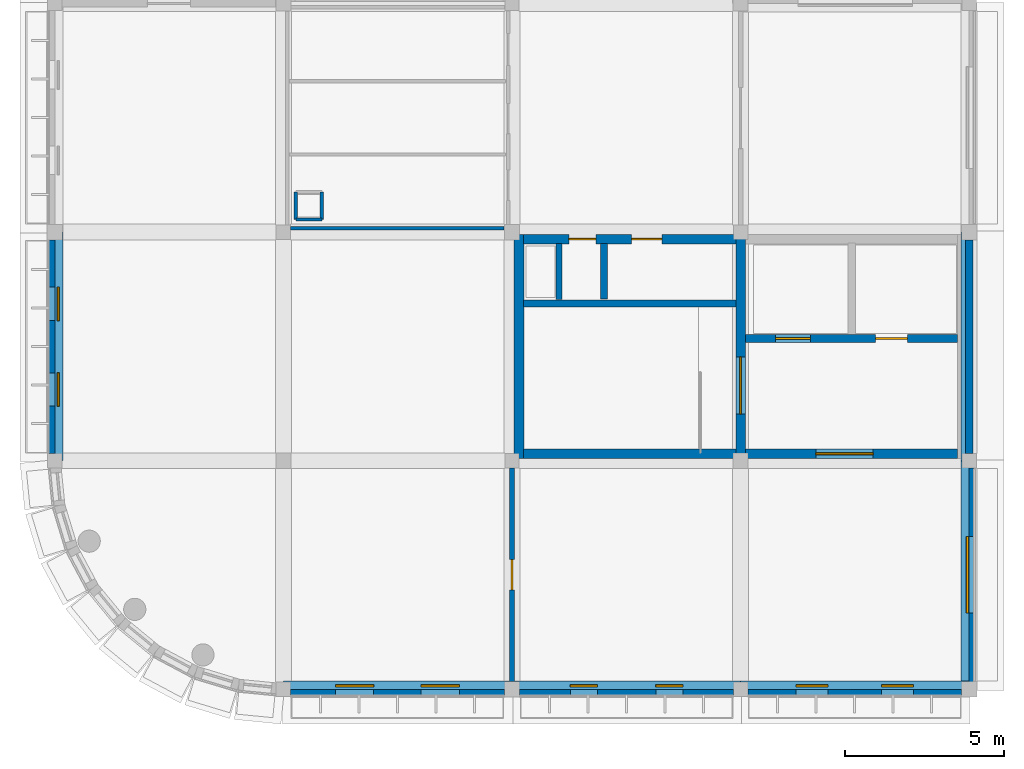
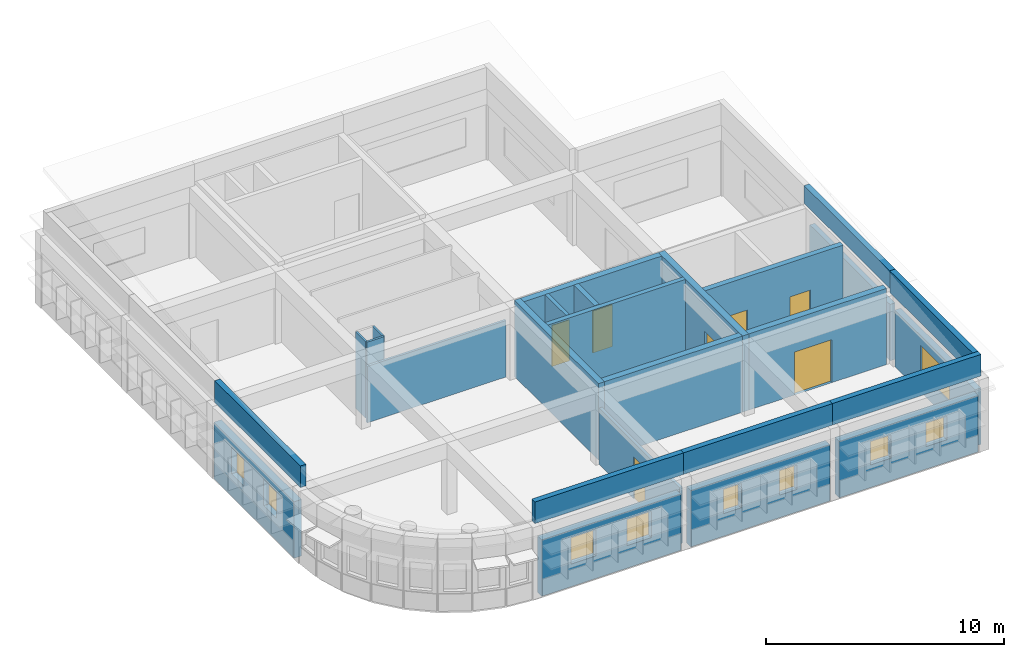
# One storey, part 3 of 6: 26 walls, 9 windows, 7 doors, 16 openings.
"""IFC4 building model written with IfcOpenShell, lengths in metres."""

import ifcopenshell
import ifcopenshell.guid

model = None  # the IFC model being written
_history = None  # IfcOwnerHistory: only IFC2X3 demands one
_inside = {}  # id of a spatial element -> (the spatial element, [elements in it])
_under = {}  # id of a project, library or spatial element -> (it, [spatial elements below it])
_declared = {}  # id of a project -> (the project, [libraries it declares])
_typed = {}  # id of a type object -> (the type object, [elements of that type])
_made_of = {}  # id of a material, layer set ... -> (it, [elements and type objects made of it])


def new_model(schema):
    """Start an empty IFC model of exactly this schema.

    Asked for "IFC4X3", IfcOpenShell would pick the latest addendum, in which some entities
    have other attributes; the version numbers below select the first issue.
    IFC2X3 requires an IfcOwnerHistory on every rooted entity: one is made here for all.
    """
    global model, _history
    if schema == "IFC4X3":
        model = ifcopenshell.file(schema_version=(4, 3, 0, 0))
    else:
        model = ifcopenshell.file(schema=schema)
    _inside.clear()
    _under.clear()
    _declared.clear()
    _typed.clear()
    _made_of.clear()
    _history = None
    if model.schema == "IFC2X3":
        org = make("IfcOrganization", Name="unknown")
        user = make(
            "IfcPersonAndOrganization",
            ThePerson=make("IfcPerson", FamilyName="unknown"),
            TheOrganization=org,
        )
        app = make(
            "IfcApplication",
            ApplicationDeveloper=org,
            Version="unknown",
            ApplicationFullName="unknown",
            ApplicationIdentifier="unknown",
        )
        _history = make(
            "IfcOwnerHistory",
            OwningUser=user,
            OwningApplication=app,
            ChangeAction="ADDED",
            CreationDate=0,
        )
    return model


def make(cls, **values):
    """One entity of the class cls with the attributes given. An attribute that is None is left unset."""
    return model.create_entity(
        cls, **{name: value for name, value in values.items() if value is not None}
    )


def rooted(cls, **values):
    """An entity with a GlobalId (a new one), such as an element, a storey or a relation."""
    return make(cls, GlobalId=ifcopenshell.guid.new(), OwnerHistory=_history, **values)


def si_unit(unit_type, name, prefix=None):
    """IfcSIUnit, for example si_unit("LENGTHUNIT", "METRE", prefix="MILLI")."""
    return make("IfcSIUnit", UnitType=unit_type, Prefix=prefix, Name=name)


def assignment(units):
    """IfcUnitAssignment: the units of a project."""
    return None if units is None else make("IfcUnitAssignment", Units=units)


def point(xyz):
    """IfcCartesianPoint."""
    return None if xyz is None else make("IfcCartesianPoint", Coordinates=xyz)


def direction(xyz):
    """IfcDirection."""
    return None if xyz is None else make("IfcDirection", DirectionRatios=xyz)


def frame(location, z_axis=None, x_axis=None):
    """IfcAxis2Placement3D, a coordinate frame: its origin and axes. An axis left out is left unset."""
    return make(
        "IfcAxis2Placement3D",
        Location=point(location),
        Axis=direction(z_axis),
        RefDirection=direction(x_axis),
    )


def frame_2d(location, x_axis=None):
    """IfcAxis2Placement2D, a coordinate frame in the plane: its origin and x axis."""
    return make(
        "IfcAxis2Placement2D", Location=point(location), RefDirection=direction(x_axis)
    )


def origin():
    """The frame at (0, 0, 0) with its axes left unset."""
    return frame((0.0, 0.0, 0.0))


def place(relative_to, where):
    """IfcLocalPlacement: puts the frame where relative to a parent placement (None: the world)."""
    return make(
        "IfcLocalPlacement", PlacementRelTo=relative_to, RelativePlacement=where
    )


def context(
    kind, dimensions, precision=None, world=None, true_north=None, identifier=None
):
    """IfcGeometricRepresentationContext, for example the 3D "Model" context."""
    return make(
        "IfcGeometricRepresentationContext",
        ContextIdentifier=identifier,
        ContextType=kind,
        CoordinateSpaceDimension=dimensions,
        Precision=precision,
        WorldCoordinateSystem=world,
        TrueNorth=true_north,
    )


def subcontext(parent, identifier, kind, view, scale=None):
    """IfcGeometricRepresentationSubContext, for example "Body" below "Model"."""
    return make(
        "IfcGeometricRepresentationSubContext",
        ContextIdentifier=identifier,
        ContextType=kind,
        ParentContext=parent,
        TargetScale=scale,
        TargetView=view,
    )


def project(units=None, contexts=None):
    """IfcProject with its units and contexts."""
    return rooted(
        "IfcProject",
        Name="project",
        RepresentationContexts=contexts,
        UnitsInContext=assignment(units),
    )


def spatial(cls, under=None, at=None, **own):
    """A site, building, storey or space (cls), placed at a placement, below another one or the project."""
    s = rooted(cls, ObjectPlacement=at, **own)
    if under is not None:
        _under.setdefault(under.id(), (under, []))[1].append(s)
    return s


def profile(cls, at=None, kind="AREA", **sizes):
    """A parametric profile (cls). Its sizes go by their IFC names, for example OverallWidth=200.0."""
    return make(cls, ProfileType=kind, Position=at, **sizes)


def rectangle(**sizes):
    """IfcRectangleProfileDef."""
    return profile("IfcRectangleProfileDef", **sizes)


def extrude(swept, where, along, depth):
    """IfcExtrudedAreaSolid: the profile swept, set in the frame where, extruded along a direction by depth."""
    return make(
        "IfcExtrudedAreaSolid",
        SweptArea=swept,
        Position=where,
        ExtrudedDirection=direction(along),
        Depth=depth,
    )


def shape(context_of_items, identifier, shape_type, items):
    """IfcShapeRepresentation: the items that make up one representation, for example the "Body"."""
    return make(
        "IfcShapeRepresentation",
        ContextOfItems=context_of_items,
        RepresentationIdentifier=identifier,
        RepresentationType=shape_type,
        Items=items,
    )


def material(Name=None, Category=None):
    """IfcMaterial."""
    return make("IfcMaterial", Name=Name, Category=Category)


def layer(
    of_material, thickness, ventilated=None, Name=None, Category=None, Priority=None
):
    """IfcMaterialLayer: one layer of a wall or slab, of a material (None: an air gap)."""
    return make(
        "IfcMaterialLayer",
        Material=of_material,
        LayerThickness=thickness,
        IsVentilated=ventilated,
        Name=Name,
        Category=Category,
        Priority=Priority,
    )


def layer_set(layers, Name=None):
    """IfcMaterialLayerSet."""
    return make("IfcMaterialLayerSet", MaterialLayers=layers, LayerSetName=Name)


def made_of(thing, what):
    """Note that an element or type object is made of a material, layer set ...; save() writes the relation."""
    if what is not None:
        _made_of.setdefault(what.id(), (what, []))[1].append(thing)
    return thing


def type_object(cls, material=None, **own):
    """A type object (cls), such as IfcWallType, which elements share."""
    return made_of(rooted(cls, **own), material)


def element(
    cls,
    number,
    at=None,
    inside=None,
    cuts=None,
    type_object=None,
    material=None,
    context=None,
    identifier="Body",
    shape_type=None,
    held_by="IfcProductDefinitionShape",
    body=None,
    shapes=None,
    **own,
):
    """One element of the class cls, such as IfcWall. Its Tag is "e" and its number.

    at: its placement. inside: the storey or other place that contains it. cuts: it is an
    opening in that element (IfcRelVoidsElement). A single representation is given by context,
    identifier, shape_type and body (its items); several are given by shapes. held_by: the class
    of the entity that holds the representations. save() writes the other relations.
    """
    e = rooted(cls, Tag="e%d" % number, ObjectPlacement=at, **own)
    if body is not None:
        shapes = [shape(context, identifier, shape_type, body)]
    if shapes is not None:
        e.Representation = make(held_by, Representations=shapes)
    if inside is not None:
        _inside.setdefault(inside.id(), (inside, []))[1].append(e)
    if cuts is not None:
        rooted(
            "IfcRelVoidsElement", RelatingBuildingElement=cuts, RelatedOpeningElement=e
        )
    if type_object is not None:
        _typed.setdefault(type_object.id(), (type_object, []))[1].append(e)
    return made_of(e, material)


def fill(opening, filler):
    """IfcRelFillsElement: the door or window that sits in an opening."""
    return rooted(
        "IfcRelFillsElement",
        RelatingOpeningElement=opening,
        RelatedBuildingElement=filler,
    )


def aggregate(whole, parts):
    """IfcRelAggregates: a whole, such as a stair, and the parts it consists of."""
    return rooted("IfcRelAggregates", RelatingObject=whole, RelatedObjects=parts)


def save(model, path):
    """Write the relations noted so far, then the file.

    IfcRelAggregates (storeys below a building ...), IfcRelContainedInSpatialStructure (elements
    in a storey), IfcRelDefinesByType, IfcRelAssociatesMaterial and IfcRelDeclares: one each for
    every whole, place, type object, material and project.
    """
    for whole, parts in _under.values():
        aggregate(whole, parts)
    for where, things in _inside.values():
        rooted(
            "IfcRelContainedInSpatialStructure",
            RelatedElements=things,
            RelatingStructure=where,
        )
    for kind, things in _typed.values():
        rooted("IfcRelDefinesByType", RelatedObjects=things, RelatingType=kind)
    for what, things in _made_of.values():
        rooted("IfcRelAssociatesMaterial", RelatedObjects=things, RelatingMaterial=what)
    for by, libraries in _declared.values():
        rooted("IfcRelDeclares", RelatingContext=by, RelatedDefinitions=libraries)
    model.write(path)


model = new_model("IFC4")

# Units and contexts
model_context = context("Model", 3, precision=1e-05, world=origin(), true_north=direction((0.0, 1.0)))
body_context = subcontext(model_context, "Body", "Model", "MODEL_VIEW")
ifc_project = project(units=[si_unit("LENGTHUNIT", "METRE"), si_unit("AREAUNIT", "SQUARE_METRE"), si_unit("VOLUMEUNIT", "CUBIC_METRE"), si_unit("PLANEANGLEUNIT", "RADIAN"), si_unit("MASSUNIT", "GRAM", prefix="KILO")], contexts=[model_context])

# Site, building, storey
site_placement = place(None, origin())
site = spatial("IfcSite", under=ifc_project, at=site_placement, CompositionType="ELEMENT")
building_placement = place(site_placement, origin())
building = spatial("IfcBuilding", under=site, at=building_placement, Name="Thalmaran Polytechnic", CompositionType="ELEMENT")
storey_placement = place(building_placement, frame((0.0, 0.0, 34.5)))
storey = spatial("IfcBuildingStorey", under=building, at=storey_placement, Name="L08", CompositionType="ELEMENT", Elevation=34.5)

# Wall, openings, windows
ifc_material_1 = material(Name="Precast concrete C40/50", Category="concrete")
ifc_layer_1 = layer(ifc_material_1, 0.360107421875, Name="Precast concrete C40/50")
ifc_layer_set_1 = layer_set([ifc_layer_1], Name="Precast concrete C40/50")
wall_type_1 = type_object("IfcWallType", Name="WL-EW01", PredefinedType="STANDARD", material=ifc_layer_set_1)
wall_1_placement = place(storey_placement, frame((0.0, 7.425048828125, 0.0), z_axis=(0.0, 0.0, 1.0), x_axis=(0.0, 1.0, 0.0)))
wall_1 = element("IfcWall", 1, at=wall_1_placement, inside=storey, type_object=wall_type_1, Name="Exterior Precast Facade Wall L08-006", PredefinedType="STANDARD", context=body_context, shape_type="SweptSolid", body=[
    extrude(rectangle(XDim=6.73486328125, YDim=0.360107421875, at=frame_2d((3.367431640625, 0.0))), origin(), (0.0, 0.0, 1.0), 2.889892578125),
])
opening_1_placement = place(wall_1_placement, frame((1.49560546875, 0.0, 1.14990234375)))
opening_1 = element("IfcOpeningElement", 2, at=opening_1_placement, cuts=wall_1, Name="Opening PW12", PredefinedType="OPENING", context=body_context, shape_type="SweptSolid", body=[
    extrude(rectangle(XDim=1.050048828125, YDim=1.35009765625, at=frame_2d((0.52490234375, 0.675048828125))), frame((0.0, 0.18994140625, 0.0), z_axis=(0.0, -1.0, 0.0), x_axis=(1.0, 0.0, 0.0)), (0.0, 0.0, 1.0), 0.380126953125),
])
opening_2_placement = place(wall_1_placement, frame((4.189453125, 0.0, 1.14990234375)))
opening_2 = element("IfcOpeningElement", 3, at=opening_2_placement, cuts=wall_1, Name="Opening PW12", PredefinedType="OPENING", context=body_context, shape_type="SweptSolid", body=[
    extrude(rectangle(XDim=1.050048828125, YDim=1.35009765625, at=frame_2d((0.52490234375, 0.675048828125))), frame((0.0, 0.18994140625, 0.0), z_axis=(0.0, -1.0, 0.0), x_axis=(1.0, 0.0, 0.0)), (0.0, 0.0, 1.0), 0.380126953125),
])
ifc_material_2 = material(Name="Thermally broken aluminium and double low-E glass", Category="aluminium")
window_type_1 = type_object("IfcWindowType", Name="WN-PW02", PartitioningType="SINGLE_PANEL", PredefinedType="WINDOW", material=ifc_material_2)
window_1_placement = place(opening_1_placement, origin())
window_1 = element("IfcWindow", 4, at=window_1_placement, inside=storey, type_object=window_type_1, Name="Deep-Set Solar-Screened Window W-0791", OverallHeight=1.35009765625, OverallWidth=1.050048828125, PartitioningType="SINGLE_PANEL", PredefinedType="WINDOW", context=body_context, shape_type="SweptSolid", body=[
    extrude(rectangle(XDim=1.050048828125, YDim=1.35009765625, at=frame_2d((0.52490234375, 0.675048828125))), frame((0.0, -0.080078125, 0.0), z_axis=(0.0, -1.0, 0.0), x_axis=(1.0, 0.0, 0.0)), (0.0, 0.0, 1.0), 0.06005859375),
])
fill(opening_1, window_1)
window_2_placement = place(opening_2_placement, origin())
window_2 = element("IfcWindow", 5, at=window_2_placement, inside=storey, type_object=window_type_1, Name="Deep-Set Solar-Screened Window W-0792", OverallHeight=1.35009765625, OverallWidth=1.050048828125, PartitioningType="SINGLE_PANEL", PredefinedType="WINDOW", context=body_context, shape_type="SweptSolid", body=[
    extrude(rectangle(XDim=1.050048828125, YDim=1.35009765625, at=frame_2d((0.52490234375, 0.675048828125))), frame((0.0, -0.080078125, 0.0), z_axis=(0.0, -1.0, 0.0), x_axis=(1.0, 0.0, 0.0)), (0.0, 0.0, 1.0), 0.06005859375),
])
fill(opening_2, window_2)

wall_2_placement = place(storey_placement, frame((28.56005859375, 0.0, 0.0), z_axis=(0.0, 0.0, 1.0), x_axis=(-1.0, 0.0, 0.0)))
wall_2 = element("IfcWall", 6, at=wall_2_placement, inside=storey, type_object=wall_type_1, Name="Exterior Precast Facade Wall L08-017", PredefinedType="STANDARD", context=body_context, shape_type="SweptSolid", body=[
    extrude(rectangle(XDim=6.735107421875, YDim=0.360107421875, at=frame_2d((3.36767578125, 0.0))), origin(), (0.0, 0.0, 1.0), 2.889892578125),
])
opening_3_placement = place(wall_2_placement, frame((1.5205078125, 0.0, 1.14990234375)))
opening_3 = element("IfcOpeningElement", 7, at=opening_3_placement, cuts=wall_2, Name="Opening VW13", PredefinedType="OPENING", context=body_context, shape_type="SweptSolid", body=[
    extrude(rectangle(XDim=1.0, YDim=1.199951171875, at=frame_2d((0.5, 0.60009765625))), frame((0.0, 0.18994140625, 0.0), z_axis=(0.0, -1.0, 0.0), x_axis=(1.0, 0.0, 0.0)), (0.0, 0.0, 1.0), 0.380126953125),
])
opening_4_placement = place(wall_2_placement, frame((4.214599609375, 0.0, 1.14990234375)))
opening_4 = element("IfcOpeningElement", 8, at=opening_4_placement, cuts=wall_2, Name="Opening VW13", PredefinedType="OPENING", context=body_context, shape_type="SweptSolid", body=[
    extrude(rectangle(XDim=1.0, YDim=1.199951171875, at=frame_2d((0.5, 0.60009765625))), frame((0.0, 0.18994140625, 0.0), z_axis=(0.0, -1.0, 0.0), x_axis=(1.0, 0.0, 0.0)), (0.0, 0.0, 1.0), 0.380126953125),
])
window_type_2 = type_object("IfcWindowType", Name="WN-VZ13", PartitioningType="SINGLE_PANEL", PredefinedType="WINDOW", material=ifc_material_2)
window_3_placement = place(opening_3_placement, origin())
window_3 = element("IfcWindow", 9, at=window_3_placement, inside=storey, type_object=window_type_2, Name="Deep-Set Solar-Screened Window W-0803", OverallHeight=1.199951171875, OverallWidth=1.0, PartitioningType="SINGLE_PANEL", PredefinedType="WINDOW", context=body_context, shape_type="SweptSolid", body=[
    extrude(rectangle(XDim=1.0, YDim=1.199951171875, at=frame_2d((0.5, 0.60009765625))), frame((0.0, -0.080078125, 0.0), z_axis=(0.0, -1.0, 0.0), x_axis=(1.0, 0.0, 0.0)), (0.0, 0.0, 1.0), 0.06005859375),
])
fill(opening_3, window_3)
window_4_placement = place(opening_4_placement, origin())
window_4 = element("IfcWindow", 10, at=window_4_placement, inside=storey, type_object=window_type_2, Name="Deep-Set Solar-Screened Window W-0804", OverallHeight=1.199951171875, OverallWidth=1.0, PartitioningType="SINGLE_PANEL", PredefinedType="WINDOW", context=body_context, shape_type="SweptSolid", body=[
    extrude(rectangle(XDim=1.0, YDim=1.199951171875, at=frame_2d((0.5, 0.60009765625))), frame((0.0, -0.080078125, 0.0), z_axis=(0.0, -1.0, 0.0), x_axis=(1.0, 0.0, 0.0)), (0.0, 0.0, 1.0), 0.06005859375),
])
fill(opening_4, window_4)

wall_3_placement = place(storey_placement, frame((21.375, 0.0, 0.0), z_axis=(0.0, 0.0, 1.0), x_axis=(-1.0, 0.0, 0.0)))
wall_3 = element("IfcWall", 11, at=wall_3_placement, inside=storey, type_object=wall_type_1, Name="Exterior Precast Facade Wall L08-018", PredefinedType="STANDARD", context=body_context, shape_type="SweptSolid", body=[
    extrude(rectangle(XDim=6.735107421875, YDim=0.360107421875, at=frame_2d((3.36767578125, 0.0))), origin(), (0.0, 0.0, 1.0), 2.889892578125),
])
opening_5_placement = place(wall_3_placement, frame((1.595458984375, 0.0, 1.14990234375)))
opening_5 = element("IfcOpeningElement", 12, at=opening_5_placement, cuts=wall_3, Name="Opening VW14", PredefinedType="OPENING", context=body_context, shape_type="SweptSolid", body=[
    extrude(rectangle(XDim=0.85009765625, YDim=1.25, at=frame_2d((0.425048828125, 0.625))), frame((0.0, 0.18994140625, 0.0), z_axis=(0.0, -1.0, 0.0), x_axis=(1.0, 0.0, 0.0)), (0.0, 0.0, 1.0), 0.380126953125),
])
opening_6_placement = place(wall_3_placement, frame((4.28955078125, 0.0, 1.14990234375)))
opening_6 = element("IfcOpeningElement", 13, at=opening_6_placement, cuts=wall_3, Name="Opening VW14", PredefinedType="OPENING", context=body_context, shape_type="SweptSolid", body=[
    extrude(rectangle(XDim=0.85009765625, YDim=1.25, at=frame_2d((0.425048828125, 0.625))), frame((0.0, 0.18994140625, 0.0), z_axis=(0.0, -1.0, 0.0), x_axis=(1.0, 0.0, 0.0)), (0.0, 0.0, 1.0), 0.380126953125),
])
window_type_3 = type_object("IfcWindowType", Name="WN-VZ14", PartitioningType="SINGLE_PANEL", PredefinedType="WINDOW", material=ifc_material_2)
window_5_placement = place(opening_5_placement, origin())
window_5 = element("IfcWindow", 14, at=window_5_placement, inside=storey, type_object=window_type_3, Name="Deep-Set Solar-Screened Window W-0805", OverallHeight=1.25, OverallWidth=0.85009765625, PartitioningType="SINGLE_PANEL", PredefinedType="WINDOW", context=body_context, shape_type="SweptSolid", body=[
    extrude(rectangle(XDim=0.85009765625, YDim=1.25, at=frame_2d((0.425048828125, 0.625))), frame((0.0, -0.080078125, 0.0), z_axis=(0.0, -1.0, 0.0), x_axis=(1.0, 0.0, 0.0)), (0.0, 0.0, 1.0), 0.06005859375),
])
fill(opening_5, window_5)
window_6_placement = place(opening_6_placement, origin())
window_6 = element("IfcWindow", 15, at=window_6_placement, inside=storey, type_object=window_type_3, Name="Deep-Set Solar-Screened Window W-0806", OverallHeight=1.25, OverallWidth=0.85009765625, PartitioningType="SINGLE_PANEL", PredefinedType="WINDOW", context=body_context, shape_type="SweptSolid", body=[
    extrude(rectangle(XDim=0.85009765625, YDim=1.25, at=frame_2d((0.425048828125, 0.625))), frame((0.0, -0.080078125, 0.0), z_axis=(0.0, -1.0, 0.0), x_axis=(1.0, 0.0, 0.0)), (0.0, 0.0, 1.0), 0.06005859375),
])
fill(opening_6, window_6)

wall_4_placement = place(storey_placement, frame((14.159912109375, 0.0, 0.0), z_axis=(0.0, 0.0, 1.0), x_axis=(-1.0, 0.0, 0.0)))
wall_4 = element("IfcWall", 16, at=wall_4_placement, inside=storey, type_object=wall_type_1, Name="Exterior Precast Facade Wall L08-019", PredefinedType="STANDARD", context=body_context, shape_type="SweptSolid", body=[
    extrude(rectangle(XDim=6.73486328125, YDim=0.360107421875, at=frame_2d((3.367431640625, 0.0))), origin(), (0.0, 0.0, 1.0), 2.889892578125),
])
opening_7_placement = place(wall_4_placement, frame((1.42041015625, 0.0, 1.14990234375)))
opening_7 = element("IfcOpeningElement", 17, at=opening_7_placement, cuts=wall_4, Name="Opening PW11", PredefinedType="OPENING", context=body_context, shape_type="SweptSolid", body=[
    extrude(rectangle(XDim=1.199951171875, YDim=1.35009765625, at=frame_2d((0.60009765625, 0.675048828125))), frame((0.0, 0.18994140625, 0.0), z_axis=(0.0, -1.0, 0.0), x_axis=(1.0, 0.0, 0.0)), (0.0, 0.0, 1.0), 0.380126953125),
])
opening_8_placement = place(wall_4_placement, frame((4.114501953125, 0.0, 1.14990234375)))
opening_8 = element("IfcOpeningElement", 18, at=opening_8_placement, cuts=wall_4, Name="Opening PW11", PredefinedType="OPENING", context=body_context, shape_type="SweptSolid", body=[
    extrude(rectangle(XDim=1.199951171875, YDim=1.35009765625, at=frame_2d((0.60009765625, 0.675048828125))), frame((0.0, 0.18994140625, 0.0), z_axis=(0.0, -1.0, 0.0), x_axis=(1.0, 0.0, 0.0)), (0.0, 0.0, 1.0), 0.380126953125),
])
window_type_4 = type_object("IfcWindowType", Name="WN-PW01", PartitioningType="SINGLE_PANEL", PredefinedType="WINDOW", material=ifc_material_2)
window_7_placement = place(opening_7_placement, origin())
window_7 = element("IfcWindow", 19, at=window_7_placement, inside=storey, type_object=window_type_4, Name="Deep-Set Solar-Screened Window W-0807", OverallHeight=1.35009765625, OverallWidth=1.199951171875, PartitioningType="SINGLE_PANEL", PredefinedType="WINDOW", context=body_context, shape_type="SweptSolid", body=[
    extrude(rectangle(XDim=1.199951171875, YDim=1.35009765625, at=frame_2d((0.60009765625, 0.675048828125))), frame((0.0, -0.080078125, 0.0), z_axis=(0.0, -1.0, 0.0), x_axis=(1.0, 0.0, 0.0)), (0.0, 0.0, 1.0), 0.06005859375),
])
fill(opening_7, window_7)
window_8_placement = place(opening_8_placement, origin())
window_8 = element("IfcWindow", 20, at=window_8_placement, inside=storey, type_object=window_type_4, Name="Deep-Set Solar-Screened Window W-0808", OverallHeight=1.35009765625, OverallWidth=1.199951171875, PartitioningType="SINGLE_PANEL", PredefinedType="WINDOW", context=body_context, shape_type="SweptSolid", body=[
    extrude(rectangle(XDim=1.199951171875, YDim=1.35009765625, at=frame_2d((0.60009765625, 0.675048828125))), frame((0.0, -0.080078125, 0.0), z_axis=(0.0, -1.0, 0.0), x_axis=(1.0, 0.0, 0.0)), (0.0, 0.0, 1.0), 0.06005859375),
])
fill(opening_8, window_8)

# Wall, opening, window
ifc_layer_2 = layer(ifc_material_1, 0.2900390625, Name="Precast concrete C40/50")
ifc_layer_set_2 = layer_set([ifc_layer_2], Name="Precast concrete C40/50")
wall_type_2 = type_object("IfcWallType", Name="WL-EW04", PredefinedType="STANDARD", material=ifc_layer_set_2)
wall_5_placement = place(storey_placement, frame((28.800048828125, 6.97509765625, 0.0), z_axis=(0.0, 0.0, 1.0), x_axis=(0.0, -1.0, 0.0)))
wall_5 = element("IfcWall", 21, at=wall_5_placement, inside=storey, type_object=wall_type_2, Name="Exterior Precast Facade Wall L08-016", PredefinedType="STANDARD", context=body_context, shape_type="SweptSolid", body=[
    extrude(rectangle(XDim=6.735107421875, YDim=0.2900390625, at=frame_2d((3.36767578125, 0.0))), origin(), (0.0, 0.0, 1.0), 2.889892578125),
])
opening_9_placement = place(wall_5_placement, frame((2.16748046875, 0.0, 0.97998046875)))
opening_9 = element("IfcOpeningElement", 22, at=opening_9_placement, cuts=wall_5, Name="Opening RW06", PredefinedType="OPENING", context=body_context, shape_type="SweptSolid", body=[
    extrude(rectangle(XDim=2.39990234375, YDim=1.39990234375, at=frame_2d((1.199951171875, 0.699951171875))), frame((0.0, 0.155029296875, 0.0), z_axis=(0.0, -1.0, 0.0), x_axis=(1.0, 0.0, 0.0)), (0.0, 0.0, 1.0), 0.31005859375),
])
window_type_5 = type_object("IfcWindowType", Name="WN-RW06", PartitioningType="DOUBLE_PANEL_VERTICAL", PredefinedType="WINDOW", material=ifc_material_2)
window_9_placement = place(opening_9_placement, origin())
window_9 = element("IfcWindow", 23, at=window_9_placement, inside=storey, type_object=window_type_5, Name="Streamline Ribbon Window W-0802", OverallHeight=1.39990234375, OverallWidth=2.39990234375, PartitioningType="SINGLE_PANEL", PredefinedType="WINDOW", context=body_context, shape_type="SweptSolid", body=[
    extrude(rectangle(XDim=2.39990234375, YDim=1.39990234375, at=frame_2d((1.199951171875, 0.699951171875))), frame((0.0, -0.030029296875, 0.0), z_axis=(0.0, -1.0, 0.0), x_axis=(1.0, 0.0, 0.0)), (0.0, 0.0, 1.0), 0.06005859375),
])
fill(opening_9, window_9)

# Walls
ifc_material_3 = material(Name="Translucent architectural glass block", Category="glass")
ifc_layer_3 = layer(ifc_material_3, 0.239990234375, Name="Translucent architectural glass block")
ifc_layer_set_3 = layer_set([ifc_layer_3], Name="Translucent architectural glass block")
wall_type_3 = type_object("IfcWallType", Name="WL-GB01", PredefinedType="STANDARD", material=ifc_layer_set_3)
wall_6_placement = place(storey_placement, frame((28.800048828125, 14.159912109375, 0.0), z_axis=(0.0, 0.0, 1.0), x_axis=(0.0, -1.0, 0.0)))
element("IfcWall", 24, at=wall_6_placement, inside=storey, type_object=wall_type_3, Name="Streamline Glass-Block Stair Strip L08-015", PredefinedType="STANDARD", context=body_context, shape_type="SweptSolid", body=[
    extrude(rectangle(XDim=6.73486328125, YDim=0.239990234375, at=frame_2d((3.367431640625, 0.0))), origin(), (0.0, 0.0, 1.0), 2.889892578125),
])
ifc_material_4 = material(Name="Autoclaved aerated masonry", Category="masonry")
ifc_layer_4 = layer(ifc_material_4, 0.22998046875, Name="Autoclaved aerated masonry")
ifc_layer_set_4 = layer_set([ifc_layer_4], Name="Autoclaved aerated masonry")
wall_type_4 = type_object("IfcWallType", Name="WL-IW02", PredefinedType="PARTITIONING", material=ifc_layer_set_4)
wall_7_placement = place(storey_placement, frame((17.300048828125, 12.300048828125, 0.0), z_axis=(0.0, 0.0, 1.0), x_axis=(0.0, 1.0, 0.0)))
element("IfcWall", 25, at=wall_7_placement, inside=storey, type_object=wall_type_4, Name="Core C1 Riser Partition L08", PredefinedType="PARTITIONING", context=body_context, shape_type="SweptSolid", body=[
    extrude(rectangle(XDim=1.739990234375, YDim=0.22998046875, at=frame_2d((0.8701171875, 0.0))), origin(), (0.0, 0.0, 1.0), 3.89990234375),
])
ifc_layer_5 = layer(ifc_material_4, 0.179931640625, Name="Autoclaved aerated masonry")
ifc_layer_set_5 = layer_set([ifc_layer_5], Name="Autoclaved aerated masonry")
wall_type_5 = type_object("IfcWallType", Name="WL-IW04", PredefinedType="PARTITIONING", material=ifc_layer_set_5)
wall_8_placement = place(storey_placement, frame((15.8798828125, 12.280029296875, 0.0), z_axis=(0.0, 0.0, 1.0), x_axis=(0.0, 1.0, 0.0)))
element("IfcWall", 26, at=wall_8_placement, inside=storey, type_object=wall_type_5, Name="Core C1 Riser Shaft Enclosure Wall L08", PredefinedType="PARTITIONING", context=body_context, shape_type="SweptSolid", body=[
    extrude(rectangle(XDim=1.760009765625, YDim=0.179931640625, at=frame_2d((0.8798828125, 0.0))), origin(), (0.0, 0.0, 1.0), 3.89990234375),
])

# Wall, opening, door
ifc_material_5 = material(Name="Gypsum acoustic partition")
ifc_layer_6 = layer(ifc_material_5, 0.14501953125, Name="Gypsum acoustic partition")
ifc_layer_set_6 = layer_set([ifc_layer_6], Name="Gypsum acoustic partition")
wall_type_6 = type_object("IfcWallType", Name="WL-IW06", PredefinedType="PARTITIONING", material=ifc_layer_set_6)
wall_9_placement = place(storey_placement, frame((14.39990234375, 0.2451171875, 0.0), z_axis=(0.0, 0.0, 1.0), x_axis=(0.0, 1.0, 0.0)))
wall_9 = element("IfcWall", 27, at=wall_9_placement, inside=storey, type_object=wall_type_6, Name="Interior Partition IW06 L08-002", PredefinedType="PARTITIONING", context=body_context, shape_type="SweptSolid", body=[
    extrude(rectangle(XDim=6.724853515625, YDim=0.14501953125, at=frame_2d((3.3623046875, 0.0))), origin(), (0.0, 0.0, 1.0), 2.889892578125),
])
opening_10_placement = place(wall_9_placement, frame((2.887451171875, 0.0, 0.0)))
opening_10 = element("IfcOpeningElement", 28, at=opening_10_placement, cuts=wall_9, Name="Opening D-L08-001-1-01-1", PredefinedType="OPENING", context=body_context, shape_type="SweptSolid", body=[
    extrude(rectangle(XDim=0.949951171875, YDim=2.14990234375, at=frame_2d((0.47509765625, 1.074951171875))), frame((0.0, 0.08251953125, 0.0), z_axis=(0.0, -1.0, 0.0), x_axis=(1.0, 0.0, 0.0)), (0.0, 0.0, 1.0), 0.1650390625),
])
ifc_material_6 = material(Name="Powder-coated fire-rated steel", Category="steel")
door_type_1 = type_object("IfcDoorType", Name="DR-FD08", OperationType="NOTDEFINED", PredefinedType="DOOR", material=ifc_material_6)
door_1_placement = place(opening_10_placement, origin())
door_1 = element("IfcDoor", 29, at=door_1_placement, inside=storey, type_object=door_type_1, Name="Fluid Mechanics Laboratory L08-01 Door 1", OperationType="SINGLE_SWING_LEFT", OverallHeight=2.14990234375, OverallWidth=0.949951171875, PredefinedType="DOOR", context=body_context, shape_type="SweptSolid", body=[
    extrude(rectangle(XDim=0.949951171875, YDim=2.14990234375, at=frame_2d((0.47509765625, 1.074951171875))), frame((0.0, 0.02490234375, 0.0), z_axis=(0.0, -1.0, 0.0), x_axis=(1.0, 0.0, 0.0)), (0.0, 0.0, 1.0), 0.050048828125),
])
fill(opening_10, door_1)

# Walls
ifc_layer_7 = layer(ifc_material_5, 0.114990234375, Name="Gypsum acoustic partition")
ifc_layer_set_7 = layer_set([ifc_layer_7], Name="Gypsum acoustic partition")
wall_type_7 = type_object("IfcWallType", Name="WL-IW08", PredefinedType="PARTITIONING", material=ifc_layer_set_7)
wall_10_placement = place(storey_placement, frame((7.429931640625, 14.52001953125, 0.0), z_axis=(0.0, 0.0, 1.0), x_axis=(1.0, 0.0, 0.0)))
element("IfcWall", 30, at=wall_10_placement, inside=storey, type_object=wall_type_7, Name="Sanitary Core Wall L08-W1-S", PredefinedType="PARTITIONING", context=body_context, shape_type="SweptSolid", body=[
    extrude(rectangle(XDim=6.72509765625, YDim=0.114990234375, at=frame_2d((3.362548828125, 0.0))), origin(), (0.0, 0.0, 1.0), 2.889892578125),
])
ifc_material_7 = material(Name="Moisture-resistant partition")
ifc_layer_8 = layer(ifc_material_7, 0.10009765625, Name="Moisture-resistant partition")
ifc_layer_set_8 = layer_set([ifc_layer_8], Name="Moisture-resistant partition")
wall_type_8 = type_object("IfcWallType", Name="WL-IW09", PredefinedType="PARTITIONING", material=ifc_layer_set_8)
wall_11_placement = place(storey_placement, frame((7.590087890625, 14.800048828125, 0.0), z_axis=(0.0, 0.0, 1.0), x_axis=(1.0, 0.0, 0.0)))
element("IfcWall", 31, at=wall_11_placement, inside=storey, type_object=wall_type_8, Name="Plumbing Riser Chase Wall L08-W1-S", PredefinedType="PARTITIONING", context=body_context, shape_type="SweptSolid", body=[
    extrude(rectangle(XDim=0.81982421875, YDim=0.10009765625, at=frame_2d((0.409912109375, 0.0))), origin(), (0.0, 0.0, 1.0), 3.89990234375),
])
for number, where, z_axis, x_axis, name in (
    (32, (8.409912109375, 14.800048828125, 0.0), (0.0, 0.0, 1.0), (0.0, 1.0, 0.0), "Plumbing Riser Chase Wall L08-W1-E"),
    (33, (7.590087890625, 15.659912109375, 0.0), (0.0, 0.0, 1.0), (0.0, -1.0, 0.0), "Plumbing Riser Chase Wall L08-W1-W"),
):
    element("IfcWall", number, at=place(storey_placement, frame(where, z_axis=z_axis, x_axis=x_axis)), inside=storey, type_object=wall_type_8, Name=name, PredefinedType="PARTITIONING", context=body_context, shape_type="SweptSolid", body=[
        extrude(rectangle(XDim=0.85986328125, YDim=0.10009765625, at=frame_2d((0.429931640625, 0.0))), origin(), (0.0, 0.0, 1.0), 3.89990234375),
    ])
ifc_layer_9 = layer(ifc_material_1, 0.260009765625, Name="Precast concrete C40/50")
ifc_layer_set_9 = layer_set([ifc_layer_9], Name="Precast concrete C40/50")
wall_type_9 = type_object("IfcWallType", Name="WL-PW01", PredefinedType="PARAPET", material=ifc_layer_set_9)
wall_12_placement = place(storey_placement, frame((0.1298828125, 7.199951171875, 3.695068359375), z_axis=(0.0, 0.0, 1.0), x_axis=(0.0, 1.0, 0.0)))
element("IfcWall", 34, at=wall_12_placement, inside=storey, type_object=wall_type_9, Name="Streamline Crown Parapet L08-006", PredefinedType="PARAPET", context=body_context, shape_type="SweptSolid", body=[
    extrude(rectangle(XDim=7.199951171875, YDim=0.260009765625, at=frame_2d((3.60009765625, 0.0))), origin(), (0.0, 0.0, 1.0), 1.10498046875),
])
wall_13_placement = place(storey_placement, frame((28.669921875, 14.39990234375, 3.89990234375), z_axis=(0.0, 0.0, 1.0), x_axis=(0.0, -1.0, 0.0)))
element("IfcWall", 35, at=wall_13_placement, inside=storey, type_object=wall_type_9, Name="Streamline Crown Parapet L08-015", PredefinedType="PARAPET", context=body_context, shape_type="SweptSolid", body=[
    extrude(rectangle(XDim=7.199951171875, YDim=0.260009765625, at=frame_2d((3.60009765625, 0.0))), origin(), (0.0, 0.0, 1.0), 0.900146484375),
])
for number, where, z_axis, x_axis, name in (
    (36, (28.669921875, 7.199951171875, 3.695068359375), (0.0, 0.0, 1.0), (0.0, -1.0, 0.0), "Streamline Crown Parapet L08-016"),
    (37, (28.800048828125, 0.1298828125, 3.695068359375), (0.0, 0.0, 1.0), (-1.0, 0.0, 0.0), "Streamline Crown Parapet L08-017"),
):
    element("IfcWall", number, at=place(storey_placement, frame(where, z_axis=z_axis, x_axis=x_axis)), inside=storey, type_object=wall_type_9, Name=name, PredefinedType="PARAPET", context=body_context, shape_type="SweptSolid", body=[
        extrude(rectangle(XDim=7.199951171875, YDim=0.260009765625, at=frame_2d((3.60009765625, 0.0))), origin(), (0.0, 0.0, 1.0), 1.10498046875),
    ])
wall_14_placement = place(storey_placement, frame((21.60009765625, 0.1298828125, 3.695068359375), z_axis=(0.0, 0.0, 1.0), x_axis=(-1.0, 0.0, 0.0)))
element("IfcWall", 38, at=wall_14_placement, inside=storey, type_object=wall_type_9, Name="Streamline Crown Parapet L08-018", PredefinedType="PARAPET", context=body_context, shape_type="SweptSolid", body=[
    extrude(rectangle(XDim=7.2001953125, YDim=0.260009765625, at=frame_2d((3.60009765625, 0.0))), origin(), (0.0, 0.0, 1.0), 1.10498046875),
])
wall_15_placement = place(storey_placement, frame((14.39990234375, 0.1298828125, 3.695068359375), z_axis=(0.0, 0.0, 1.0), x_axis=(-1.0, 0.0, 0.0)))
element("IfcWall", 39, at=wall_15_placement, inside=storey, type_object=wall_type_9, Name="Streamline Crown Parapet L08-019", PredefinedType="PARAPET", context=body_context, shape_type="SweptSolid", body=[
    extrude(rectangle(XDim=7.199951171875, YDim=0.260009765625, at=frame_2d((3.60009765625, 0.0))), origin(), (0.0, 0.0, 1.0), 1.10498046875),
])
ifc_material_8 = material(Name="Concrete C50/60", Category="concrete")
ifc_layer_10 = layer(ifc_material_8, 0.300048828125, Name="Concrete C50/60")
ifc_layer_set_10 = layer_set([ifc_layer_10], Name="Concrete C50/60")
wall_type_10 = type_object("IfcWallType", Name="WL-SW04", PredefinedType="SHEAR", material=ifc_layer_set_10)
wall_16_placement = place(storey_placement, frame((14.77001953125, 7.419921875, 0.0), z_axis=(0.0, 0.0, 1.0), x_axis=(1.0, 0.0, 0.0)))
element("IfcWall", 40, at=wall_16_placement, inside=storey, type_object=wall_type_10, Name="Core C1 South Shear Wall L08", PredefinedType="SHEAR", context=body_context, shape_type="SweptSolid", body=[
    extrude(rectangle(XDim=6.679931640625, YDim=0.300048828125, at=frame_2d((3.33984375, 0.0))), origin(), (0.0, 0.0, 1.0), 3.89990234375),
])
wall_17_placement = place(storey_placement, frame((14.6201171875, 14.330078125, 0.0), z_axis=(0.0, 0.0, 1.0), x_axis=(0.0, -1.0, 0.0)))
element("IfcWall", 41, at=wall_17_placement, inside=storey, type_object=wall_type_10, Name="Core C1 West Shear Wall L08", PredefinedType="SHEAR", context=body_context, shape_type="SweptSolid", body=[
    extrude(rectangle(XDim=7.06005859375, YDim=0.300048828125, at=frame_2d((3.530029296875, 0.0))), origin(), (0.0, 0.0, 1.0), 3.89990234375),
])

# Wall, openings, doors
wall_18_placement = place(storey_placement, frame((14.77001953125, 14.179931640625, 0.0), z_axis=(0.0, 0.0, 1.0), x_axis=(1.0, 0.0, 0.0)))
wall_18 = element("IfcWall", 42, at=wall_18_placement, inside=storey, type_object=wall_type_10, Name="Core C1 North Shear Wall L08", PredefinedType="SHEAR", context=body_context, shape_type="SweptSolid", body=[
    extrude(rectangle(XDim=6.679931640625, YDim=0.300048828125, at=frame_2d((3.33984375, 0.0))), origin(), (0.0, 0.0, 1.0), 3.89990234375),
])
opening_11_placement = place(wall_18_placement, frame((1.419921875, 0.0, 0.0)))
opening_11 = element("IfcOpeningElement", 43, at=opening_11_placement, cuts=wall_18, Name="Opening DR-C1-L08-R", PredefinedType="OPENING", context=body_context, shape_type="SweptSolid", body=[
    extrude(rectangle(XDim=0.85009765625, YDim=2.10009765625, at=frame_2d((0.425048828125, 1.050048828125))), frame((0.0, 0.159912109375, 0.0), z_axis=(0.0, -1.0, 0.0), x_axis=(1.0, 0.0, 0.0)), (0.0, 0.0, 1.0), 0.320068359375),
])
opening_12_placement = place(wall_18_placement, frame((3.39990234375, 0.0, 0.0)))
opening_12 = element("IfcOpeningElement", 44, at=opening_12_placement, cuts=wall_18, Name="Opening ED-C1-L08-E", PredefinedType="OPENING", context=body_context, shape_type="SweptSolid", body=[
    extrude(rectangle(XDim=0.949951171875, YDim=2.14990234375, at=frame_2d((0.47509765625, 1.074951171875))), frame((0.0, 0.159912109375, 0.0), z_axis=(0.0, -1.0, 0.0), x_axis=(1.0, 0.0, 0.0)), (0.0, 0.0, 1.0), 0.320068359375),
])
door_2_placement = place(opening_12_placement, origin())
door_2 = element("IfcDoor", 45, at=door_2_placement, inside=storey, type_object=door_type_1, Name="Electrical Riser Door C1 L08", OperationType="SINGLE_SWING_RIGHT", OverallHeight=2.14990234375, OverallWidth=0.949951171875, PredefinedType="DOOR", context=body_context, shape_type="SweptSolid", body=[
    extrude(rectangle(XDim=0.949951171875, YDim=2.14990234375, at=frame_2d((0.47509765625, 1.074951171875))), frame((0.0, 0.02490234375, 0.0), z_axis=(0.0, -1.0, 0.0), x_axis=(1.0, 0.0, 0.0)), (0.0, 0.0, 1.0), 0.050048828125),
])
fill(opening_12, door_2)
door_type_2 = type_object("IfcDoorType", Name="DR-FD09", OperationType="NOTDEFINED", PredefinedType="DOOR", material=ifc_material_6)
door_3_placement = place(opening_11_placement, origin())
door_3 = element("IfcDoor", 46, at=door_3_placement, inside=storey, type_object=door_type_2, Name="Riser Access Fire Door C1 L08", OperationType="SINGLE_SWING_RIGHT", OverallHeight=2.10009765625, OverallWidth=0.85009765625, PredefinedType="DOOR", context=body_context, shape_type="SweptSolid", body=[
    extrude(rectangle(XDim=0.85009765625, YDim=2.10009765625, at=frame_2d((0.425048828125, 1.050048828125))), frame((0.0, 0.02490234375, 0.0), z_axis=(0.0, -1.0, 0.0), x_axis=(1.0, 0.0, 0.0)), (0.0, 0.0, 1.0), 0.050048828125),
])
fill(opening_11, door_3)

# Wall
wall_19_placement = place(storey_placement, frame((14.77001953125, 12.159912109375, 0.0), z_axis=(0.0, 0.0, 1.0), x_axis=(1.0, 0.0, 0.0)))
element("IfcWall", 47, at=wall_19_placement, inside=storey, type_object=wall_type_10, Name="Core C1 Stair Partition L08", PredefinedType="SHEAR", context=body_context, shape_type="SweptSolid", body=[
    extrude(rectangle(XDim=6.679931640625, YDim=0.219970703125, at=frame_2d((3.33984375, 0.0))), origin(), (0.0, 0.0, 1.0), 3.89990234375),
])

# Wall, opening, door
wall_20_placement = place(storey_placement, frame((21.60009765625, 7.27001953125, 0.0), z_axis=(0.0, 0.0, 1.0), x_axis=(0.0, 1.0, 0.0)))
wall_20 = element("IfcWall", 48, at=wall_20_placement, inside=storey, type_object=wall_type_10, Name="Core C1 Stair-Lobby Dividing Shear Wall L08", PredefinedType="SHEAR", context=body_context, shape_type="SweptSolid", body=[
    extrude(rectangle(XDim=7.06005859375, YDim=0.300048828125, at=frame_2d((3.530029296875, 0.0))), origin(), (0.0, 0.0, 1.0), 3.89990234375),
])
opening_13_placement = place(wall_20_placement, frame((1.39990234375, 0.0, 0.0)))
opening_13 = element("IfcOpeningElement", 49, at=opening_13_placement, cuts=wall_20, Name="Opening SD-ST1-L08", PredefinedType="OPENING", context=body_context, shape_type="SweptSolid", body=[
    extrude(rectangle(XDim=1.800048828125, YDim=2.199951171875, at=frame_2d((0.89990234375, 1.10009765625))), frame((0.0, 0.159912109375, 0.0), z_axis=(0.0, -1.0, 0.0), x_axis=(1.0, 0.0, 0.0)), (0.0, 0.0, 1.0), 0.320068359375),
])
door_type_3 = type_object("IfcDoorType", Name="DR-FD03", OperationType="NOTDEFINED", PredefinedType="DOOR", material=ifc_material_6)
door_4_placement = place(opening_13_placement, origin())
door_4 = element("IfcDoor", 50, at=door_4_placement, inside=storey, type_object=door_type_3, Name="Firefighting Lobby to Exit Stair Door ST1 L08", OperationType="SINGLE_SWING_LEFT", OverallHeight=2.199951171875, OverallWidth=1.800048828125, PredefinedType="DOOR", context=body_context, shape_type="SweptSolid", body=[
    extrude(rectangle(XDim=1.800048828125, YDim=2.199951171875, at=frame_2d((0.89990234375, 1.10009765625))), frame((0.0, 0.02490234375, 0.0), z_axis=(0.0, -1.0, 0.0), x_axis=(1.0, 0.0, 0.0)), (0.0, 0.0, 1.0), 0.050048828125),
])
fill(opening_13, door_4)

wall_21_placement = place(storey_placement, frame((21.75, 7.419921875, 0.0), z_axis=(0.0, 0.0, 1.0), x_axis=(1.0, 0.0, 0.0)))
wall_21 = element("IfcWall", 51, at=wall_21_placement, inside=storey, type_object=wall_type_10, Name="Core C1 Lobby South Wall L08", PredefinedType="SHEAR", context=body_context, shape_type="SweptSolid", body=[
    extrude(rectangle(XDim=6.679931640625, YDim=0.300048828125, at=frame_2d((3.33984375, 0.0))), origin(), (0.0, 0.0, 1.0), 3.89990234375),
])
opening_14_placement = place(wall_21_placement, frame((2.219970703125, 0.0, 0.0)))
opening_14 = element("IfcOpeningElement", 52, at=opening_14_placement, cuts=wall_21, Name="Opening FD-C1-L08", PredefinedType="OPENING", context=body_context, shape_type="SweptSolid", body=[
    extrude(rectangle(XDim=1.800048828125, YDim=2.199951171875, at=frame_2d((0.89990234375, 1.10009765625))), frame((0.0, 0.159912109375, 0.0), z_axis=(0.0, -1.0, 0.0), x_axis=(1.0, 0.0, 0.0)), (0.0, 0.0, 1.0), 0.320068359375),
])
door_type_4 = type_object("IfcDoorType", Name="DR-FD01", OperationType="NOTDEFINED", PredefinedType="DOOR", material=ifc_material_6)
door_5_placement = place(opening_14_placement, origin())
door_5 = element("IfcDoor", 53, at=door_5_placement, inside=storey, type_object=door_type_4, Name="Firefighting Lift Lobby Entrance Door C1 L08", OperationType="DOUBLE_DOOR_SINGLE_SWING", OverallHeight=2.199951171875, OverallWidth=1.800048828125, PredefinedType="DOOR", context=body_context, shape_type="SweptSolid", body=[
    extrude(rectangle(XDim=1.800048828125, YDim=2.199951171875, at=frame_2d((0.89990234375, 1.10009765625))), frame((0.0, 0.02490234375, 0.0), z_axis=(0.0, -1.0, 0.0), x_axis=(1.0, 0.0, 0.0)), (0.0, 0.0, 1.0), 0.050048828125),
])
fill(opening_14, door_5)

# Wall, openings, doors
wall_22_placement = place(storey_placement, frame((21.75, 11.050048828125, 0.0), z_axis=(0.0, 0.0, 1.0), x_axis=(1.0, 0.0, 0.0)))
wall_22 = element("IfcWall", 54, at=wall_22_placement, inside=storey, type_object=wall_type_10, Name="Core C1 Lift Landing Front Wall L08", PredefinedType="SHEAR", context=body_context, shape_type="SweptSolid", body=[
    extrude(rectangle(XDim=6.679931640625, YDim=0.260009765625, at=frame_2d((3.33984375, 0.0))), origin(), (0.0, 0.0, 1.0), 3.89990234375),
])
opening_15_placement = place(wall_22_placement, frame((0.949951171875, 0.0, 0.0)))
opening_15 = element("IfcOpeningElement", 55, at=opening_15_placement, cuts=wall_22, Name="Opening LD-FL-01-L08", PredefinedType="OPENING", context=body_context, shape_type="SweptSolid", body=[
    extrude(rectangle(XDim=1.10009765625, YDim=2.199951171875, at=frame_2d((0.550048828125, 1.10009765625))), frame((0.0, 0.139892578125, 0.0), z_axis=(0.0, -1.0, 0.0), x_axis=(1.0, 0.0, 0.0)), (0.0, 0.0, 1.0), 0.280029296875),
])
opening_16_placement = place(wall_22_placement, frame((4.10009765625, 0.0, 0.0)))
opening_16 = element("IfcOpeningElement", 56, at=opening_16_placement, cuts=wall_22, Name="Opening LD-PL-01-L08", PredefinedType="OPENING", context=body_context, shape_type="SweptSolid", body=[
    extrude(rectangle(XDim=1.0, YDim=2.14990234375, at=frame_2d((0.5, 1.074951171875))), frame((0.0, 0.139892578125, 0.0), z_axis=(0.0, -1.0, 0.0), x_axis=(1.0, 0.0, 0.0)), (0.0, 0.0, 1.0), 0.280029296875),
])
ifc_material_9 = material(Name="Brushed stainless steel lift door", Category="steel")
door_type_5 = type_object("IfcDoorType", Name="DR-LD01", OperationType="NOTDEFINED", PredefinedType="DOOR", material=ifc_material_9)
door_6_placement = place(opening_15_placement, origin())
door_6 = element("IfcDoor", 57, at=door_6_placement, inside=storey, type_object=door_type_5, Name="Lift Landing Door FL-01 L08", OperationType="SLIDING_TO_LEFT", OverallHeight=2.199951171875, OverallWidth=1.10009765625, PredefinedType="DOOR", context=body_context, shape_type="SweptSolid", body=[
    extrude(rectangle(XDim=1.10009765625, YDim=2.199951171875, at=frame_2d((0.550048828125, 1.10009765625))), frame((0.0, 0.02490234375, 0.0), z_axis=(0.0, -1.0, 0.0), x_axis=(1.0, 0.0, 0.0)), (0.0, 0.0, 1.0), 0.050048828125),
])
fill(opening_15, door_6)
door_type_6 = type_object("IfcDoorType", Name="DR-LD02", OperationType="NOTDEFINED", PredefinedType="DOOR", material=ifc_material_9)
door_7_placement = place(opening_16_placement, origin())
door_7 = element("IfcDoor", 58, at=door_7_placement, inside=storey, type_object=door_type_6, Name="Lift Landing Door PL-01 L08", OperationType="SLIDING_TO_RIGHT", OverallHeight=2.14990234375, OverallWidth=1.0, PredefinedType="DOOR", context=body_context, shape_type="SweptSolid", body=[
    extrude(rectangle(XDim=1.0, YDim=2.14990234375, at=frame_2d((0.5, 1.074951171875))), frame((0.0, 0.02490234375, 0.0), z_axis=(0.0, -1.0, 0.0), x_axis=(1.0, 0.0, 0.0)), (0.0, 0.0, 1.0), 0.050048828125),
])
fill(opening_16, door_7)

save(model, "model.ifc")
